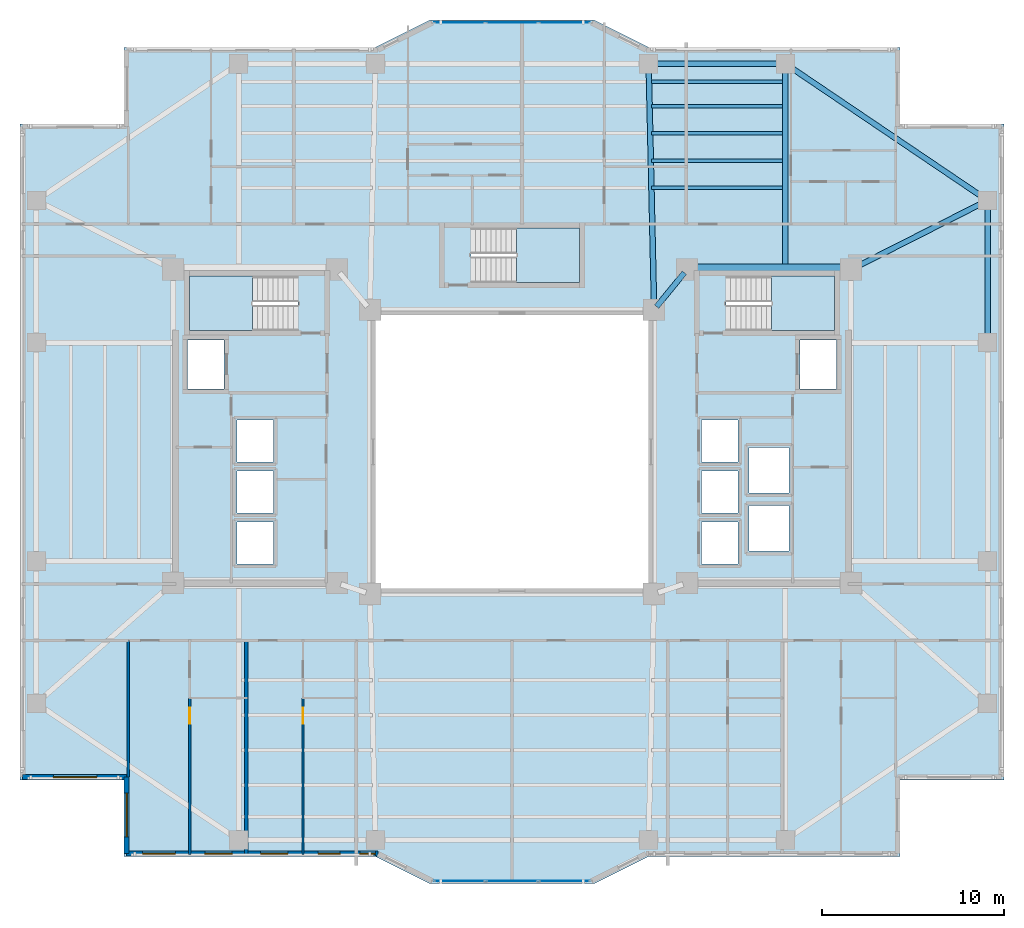
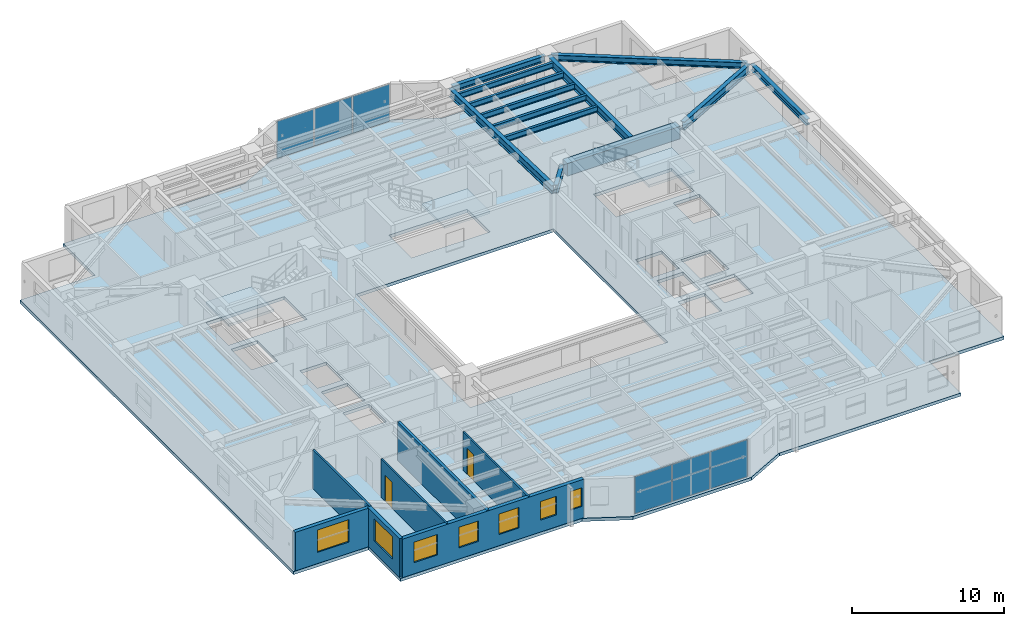
# One storey, part 5 of 18: 13 beams, 7 walls, 7 windows, 6 plates, 4 slabs, 2 doors, 9 openings, 5 elements without a shape of their own.
"""IFC4 building model written with IfcOpenShell, lengths in metres."""

from ifc_helpers import new_model, si_unit, direction, frame, frame_2d, origin, origin_2d, place, context, subcontext, project, spatial, polyline, rectangle, i_section, outline, extrude, material, layer, layer_set, material_profile, profile_set, type_object, element, fill, aggregate, save


model = new_model("IFC4")

# Units and contexts
model_context = context("Model", 3, precision=1e-05, world=origin(), true_north=direction((0.0, 1.0)))
body_context = subcontext(model_context, "Body", "Model", "MODEL_VIEW")
ifc_project = project(units=[si_unit("LENGTHUNIT", "METRE"), si_unit("AREAUNIT", "SQUARE_METRE"), si_unit("VOLUMEUNIT", "CUBIC_METRE"), si_unit("PLANEANGLEUNIT", "RADIAN"), si_unit("MASSUNIT", "GRAM", prefix="KILO")], contexts=[model_context])

# Site, building, storey
site_placement = place(None, origin())
site = spatial("IfcSite", under=ifc_project, at=site_placement, CompositionType="ELEMENT")
building_placement = place(site_placement, origin())
building = spatial("IfcBuilding", under=site, at=building_placement, Name="Tarnavaz Court Tower", CompositionType="ELEMENT")
storey_placement = place(building_placement, frame((0.0, 0.0, 98.39990234375)))
storey = spatial("IfcBuildingStorey", under=building, at=storey_placement, Name="L26", CompositionType="ELEMENT", Elevation=98.39990234375)

# Beams
ifc_material_1 = material(Name="Concrete C60/75", Category="concrete")
ifc_material_profile_1 = material_profile(ifc_material_1, rectangle(XDim=0.60009765625, YDim=1.0, at=origin_2d()), Name="RC 600X1000")
ifc_profile_set_1 = profile_set([ifc_material_profile_1], Name="Concrete C60/75")
beam_type_1 = type_object("IfcBeamType", Name="BM-CB1000", PredefinedType="LINTEL", material=ifc_profile_set_1)
beam_1_placement = place(storey_placement, frame((18.3798828125, 10.0, 2.60009765625), z_axis=(-1.0, 0.0, 0.0), x_axis=(0.0, -1.0, 0.0)))
element("IfcBeam", 1, at=beam_1_placement, inside=storey, type_object=beam_type_1, Name="L26 Beam IN-CE-NO-CE-NI", PredefinedType="LINTEL", context=body_context, shape_type="SweptSolid", body=[
    extrude(rectangle(XDim=0.60009765625, YDim=1.0, at=origin_2d()), origin(), (0.0, 0.0, 1.0), 8.559814453125),
])
ifc_material_2 = material(Name="Steel S355", Category="steel")
ifc_material_profile_2 = material_profile(ifc_material_2, i_section(OverallWidth=0.300048828125, OverallDepth=0.64990234375, WebThickness=0.01611328125, FlangeThickness=0.031005859375, FilletRadius=0.027099609375, at=origin_2d()), Name="HEB 650")
ifc_profile_set_2 = profile_set([ifc_material_profile_2], Name="Steel S355")
beam_type_2 = type_object("IfcBeamType", Name="BM-G-HEB650", PredefinedType="USERDEFINED", material=ifc_profile_set_2)
beam_2_placement = place(storey_placement, frame((9.460693359375, 9.82958984375, 2.775146484375), z_axis=(-0.633282058357, -0.773921077735, 0.0), x_axis=(0.773921077735, -0.633282058357, 0.0)))
element("IfcBeam", 2, at=beam_2_placement, inside=storey, type_object=beam_type_2, Name="L26 Beam IN-CE-NI-IW-NE", ObjectType="GIRDER", PredefinedType="USERDEFINED", context=body_context, shape_type="SweptSolid", body=[
    extrude(i_section(OverallWidth=0.300048828125, OverallDepth=0.64990234375, WebThickness=0.01611328125, FlangeThickness=0.031005859375, FilletRadius=0.027099609375, at=origin_2d()), origin(), (0.0, 0.0, 1.0), 2.402587890625),
])
beam_3_placement = place(storey_placement, frame((7.795166015625, 8.02001953125, 2.775146484375), z_axis=(-0.022221303469, 0.99975307635, 0.0), x_axis=(-0.99975307635, -0.022221303469, 0.0)))
element("IfcBeam", 3, at=beam_3_placement, inside=storey, type_object=beam_type_2, Name="L26 Beam RG-03", ObjectType="GIRDER", PredefinedType="USERDEFINED", context=body_context, shape_type="SweptSolid", body=[
    extrude(i_section(OverallWidth=0.300048828125, OverallDepth=0.64990234375, WebThickness=0.01611328125, FlangeThickness=0.031005859375, FilletRadius=0.027099609375, at=origin_2d()), origin(), (0.0, 0.0, 1.0), 13.063232421875),
])
beam_4_placement = place(storey_placement, frame((15.0, 10.0400390625, 2.775146484375), z_axis=(0.0, 1.0, 0.0), x_axis=(-1.0, 0.0, 0.0)))
element("IfcBeam", 4, at=beam_4_placement, inside=storey, type_object=beam_type_2, Name="L26 Beam RG-04", ObjectType="GIRDER", PredefinedType="USERDEFINED", context=body_context, shape_type="SweptSolid", body=[
    extrude(i_section(OverallWidth=0.300048828125, OverallDepth=0.64990234375, WebThickness=0.01611328125, FlangeThickness=0.031005859375, FilletRadius=0.027099609375, at=origin_2d()), origin(), (0.0, 0.0, 1.0), 11.0400390625),
])
beam_5_placement = place(storey_placement, frame((18.796142578125, 10.099365234375, 2.775146484375), z_axis=(0.892030669981, 0.451974870776, 0.0), x_axis=(-0.451974870776, 0.892030669981, 0.0)))
element("IfcBeam", 5, at=beam_5_placement, inside=storey, type_object=beam_type_2, Name="L26 Beam RG-12", ObjectType="GIRDER", PredefinedType="USERDEFINED", context=body_context, shape_type="SweptSolid", body=[
    extrude(i_section(OverallWidth=0.300048828125, OverallDepth=0.64990234375, WebThickness=0.01611328125, FlangeThickness=0.031005859375, FilletRadius=0.027099609375, at=origin_2d()), origin(), (0.0, 0.0, 1.0), 7.968017578125),
])
ifc_material_profile_3 = material_profile(ifc_material_2, i_section(OverallWidth=0.18994140625, OverallDepth=0.449951171875, WebThickness=0.009521484375, FlangeThickness=0.0146484375, FilletRadius=0.02099609375, at=origin_2d()), Name="IPE 450")
ifc_profile_set_3 = profile_set([ifc_material_profile_3], Name="Steel S355")
beam_type_3 = type_object("IfcBeamType", Name="BM-J-IPE450", PredefinedType="JOIST", material=ifc_profile_set_3)
for number, where, z_axis, x_axis, name in (
    (6, (7.64990234375, 14.493896484375, 2.875), (1.0, 0.0, 0.0), (0.0, 1.0, 0.0), "L26 Beam JN1-3"),
    (7, (7.64990234375, 15.988037109375, 2.875), (1.0, 0.0, 0.0), (0.0, 1.0, 0.0), "L26 Beam JN2-3"),
    (8, (7.64990234375, 17.48193359375, 2.875), (1.0, 0.0, 0.0), (0.0, 1.0, 0.0), "L26 Beam JN3-3"),
    (9, (7.64990234375, 18.97607421875, 2.875), (1.0, 0.0, 0.0), (0.0, 1.0, 0.0), "L26 Beam JN4-3"),
    (10, (7.64990234375, 20.303955078125, 2.875), (1.0, 0.0, 0.0), (0.0, 1.0, 0.0), "L26 Beam JN5-3"),
):
    element("IfcBeam", number, at=place(storey_placement, frame(where, z_axis=z_axis, x_axis=x_axis)), inside=storey, type_object=beam_type_3, Name=name, PredefinedType="JOIST", context=body_context, shape_type="SweptSolid", body=[
        extrude(i_section(OverallWidth=0.18994140625, OverallDepth=0.449951171875, WebThickness=0.009521484375, FlangeThickness=0.0146484375, FilletRadius=0.02099609375, at=origin_2d()), origin(), (0.0, 0.0, 1.0), 7.2001953125),
    ])
ifc_material_profile_4 = material_profile(ifc_material_2, i_section(OverallWidth=0.300048828125, OverallDepth=0.489990234375, WebThickness=0.011962890625, FlangeThickness=0.02294921875, FilletRadius=0.027099609375, at=origin_2d()), Name="HEA 500")
ifc_profile_set_4 = profile_set([ifc_material_profile_4], Name="Steel S355")
beam_type_4 = type_object("IfcBeamType", Name="BM-SP-HEA500", PredefinedType="SPANDREL", material=ifc_profile_set_4)
beam_6_placement = place(storey_placement, frame((7.719970703125, 21.300048828125, 2.85498046875), z_axis=(1.0, 0.0, 0.0), x_axis=(0.0, 1.0, 0.0)))
element("IfcBeam", 11, at=beam_6_placement, inside=storey, type_object=beam_type_4, Name="L26 Beam PR-PN-3-PN-4", PredefinedType="SPANDREL", context=body_context, shape_type="SweptSolid", body=[
    extrude(i_section(OverallWidth=0.300048828125, OverallDepth=0.489990234375, WebThickness=0.011962890625, FlangeThickness=0.02294921875, FilletRadius=0.027099609375, at=origin_2d()), origin(), (0.0, 0.0, 1.0), 7.06005859375),
])
beam_7_placement = place(storey_placement, frame((26.10009765625, 6.219970703125, 2.85498046875), z_axis=(0.0, 1.0, 0.0), x_axis=(-1.0, 0.0, 0.0)))
element("IfcBeam", 12, at=beam_7_placement, inside=storey, type_object=beam_type_4, Name="L26 Beam PR-PE-3-PE-4", PredefinedType="SPANDREL", context=body_context, shape_type="SweptSolid", body=[
    extrude(i_section(OverallWidth=0.300048828125, OverallDepth=0.489990234375, WebThickness=0.011962890625, FlangeThickness=0.02294921875, FilletRadius=0.027099609375, at=origin_2d()), origin(), (0.0, 0.0, 1.0), 7.360107421875),
])
beam_8_placement = place(storey_placement, frame((15.182373046875, 21.1767578125, 2.85498046875), z_axis=(0.828587314918, -0.559859858854, 0.0), x_axis=(0.559859858854, 0.828587314918, 0.0)))
element("IfcBeam", 13, at=beam_8_placement, inside=storey, type_object=beam_type_4, Name="L26 Beam PR-PN-4-PE-4", PredefinedType="SPANDREL", context=body_context, shape_type="SweptSolid", body=[
    extrude(i_section(OverallWidth=0.300048828125, OverallDepth=0.489990234375, WebThickness=0.011962890625, FlangeThickness=0.02294921875, FilletRadius=0.027099609375, at=origin_2d()), origin(), (0.0, 0.0, 1.0), 12.956298828125),
])

# Curtain wall, plates
ifc_material_3 = material(Name="Anodised Aluminium 6063-T6 and Solar Low-E Glazing", Category="aluminium")
ifc_layer_1 = layer(ifc_material_3, 0.179931640625)
ifc_layer_set_1 = layer_set([ifc_layer_1], Name="Anodised Aluminium 6063-T6 and Solar Low-E Glazing")
curtain_wall_type = type_object("IfcCurtainWallType", Name="CW-SYS-02", PredefinedType="NOTDEFINED", material=ifc_layer_set_1)
curtain_wall_1_placement = place(storey_placement, origin())
curtain_wall_1 = element("IfcCurtainWall", 14, at=curtain_wall_1_placement, inside=storey, type_object=curtain_wall_type, Name="L26 Iwan Prow Curtain Wall 7", PredefinedType="NOTDEFINED")
ifc_material_4 = material(Name="Double-Glazed Solar Low-E Glass", Category="glass")
ifc_layer_2 = layer(ifc_material_4, 0.028076171875)
ifc_layer_set_2 = layer_set([ifc_layer_2], Name="Double-Glazed Solar Low-E Glass")
plate_type = type_object("IfcPlateType", Name="CW-PAN-GLZ28", PredefinedType="CURTAIN_PANEL", material=ifc_layer_set_2)
plate_1_placement = place(storey_placement, frame((-2.88134765625, 23.550048828125, 0.06494140625), z_axis=(0.0, 0.0, 1.0), x_axis=(1.0, 0.0, 0.0)))
plate_1 = element("IfcPlate", 15, at=plate_1_placement, type_object=plate_type, Name="CW panel 1.1", PredefinedType="CURTAIN_PANEL", context=body_context, shape_type="SweptSolid", body=[
    extrude(rectangle(XDim=2.78759765625, YDim=0.028076171875, at=origin_2d()), origin(), (0.0, 0.0, 1.0), 2.969970703125),
])
plate_2_placement = place(storey_placement, frame((0.0, 23.550048828125, 0.06494140625), z_axis=(0.0, 0.0, 1.0), x_axis=(1.0, 0.0, 0.0)))
plate_2 = element("IfcPlate", 16, at=plate_2_placement, type_object=plate_type, Name="CW panel 2.1", PredefinedType="CURTAIN_PANEL", context=body_context, shape_type="SweptSolid", body=[
    extrude(rectangle(XDim=2.824951171875, YDim=0.028076171875, at=origin_2d()), origin(), (0.0, 0.0, 1.0), 2.969970703125),
])
plate_3_placement = place(storey_placement, frame((2.88134765625, 23.550048828125, 0.06494140625), z_axis=(0.0, 0.0, 1.0), x_axis=(1.0, 0.0, 0.0)))
plate_3 = element("IfcPlate", 17, at=plate_3_placement, type_object=plate_type, Name="CW panel 3.1", PredefinedType="CURTAIN_PANEL", context=body_context, shape_type="SweptSolid", body=[
    extrude(rectangle(XDim=2.78759765625, YDim=0.028076171875, at=origin_2d()), origin(), (0.0, 0.0, 1.0), 2.969970703125),
])
aggregate(curtain_wall_1, [plate_1, plate_2, plate_3])

curtain_wall_2_placement = place(storey_placement, origin())
curtain_wall_2 = element("IfcCurtainWall", 18, at=curtain_wall_2_placement, inside=storey, type_object=curtain_wall_type, Name="L26 Iwan Prow Curtain Wall 17", PredefinedType="NOTDEFINED")
plate_4_placement = place(storey_placement, frame((2.88134765625, -23.550048828125, 0.06494140625), z_axis=(0.0, 0.0, 1.0), x_axis=(-1.0, 0.0, 0.0)))
plate_4 = element("IfcPlate", 19, at=plate_4_placement, type_object=plate_type, Name="CW panel 1.1", PredefinedType="CURTAIN_PANEL", context=body_context, shape_type="SweptSolid", body=[
    extrude(rectangle(XDim=2.78759765625, YDim=0.028076171875, at=origin_2d()), origin(), (0.0, 0.0, 1.0), 2.969970703125),
])
plate_5_placement = place(storey_placement, frame((0.0, -23.550048828125, 0.06494140625), z_axis=(0.0, 0.0, 1.0), x_axis=(-1.0, 0.0, 0.0)))
plate_5 = element("IfcPlate", 20, at=plate_5_placement, type_object=plate_type, Name="CW panel 2.1", PredefinedType="CURTAIN_PANEL", context=body_context, shape_type="SweptSolid", body=[
    extrude(rectangle(XDim=2.824951171875, YDim=0.028076171875, at=origin_2d()), origin(), (0.0, 0.0, 1.0), 2.969970703125),
])
plate_6_placement = place(storey_placement, frame((-2.88134765625, -23.550048828125, 0.06494140625), z_axis=(0.0, 0.0, 1.0), x_axis=(-1.0, 0.0, 0.0)))
plate_6 = element("IfcPlate", 21, at=plate_6_placement, type_object=plate_type, Name="CW panel 3.1", PredefinedType="CURTAIN_PANEL", context=body_context, shape_type="SweptSolid", body=[
    extrude(rectangle(XDim=2.78759765625, YDim=0.028076171875, at=origin_2d()), origin(), (0.0, 0.0, 1.0), 2.969970703125),
])
aggregate(curtain_wall_2, [plate_4, plate_5, plate_6])

# Stair, slab
ifc_material_5 = material(Name="Concrete C40/50", Category="concrete")
stair_type = type_object("IfcStairType", Name="ST-TWR-20R", PredefinedType="HALF_TURN_STAIR", material=ifc_material_5)
stair_1_placement = place(storey_placement, origin())
stair_1 = element("IfcStair", 22, at=stair_1_placement, inside=storey, type_object=stair_type, Name="L26 West Core Pressurized Exit Stair ST-W1", PredefinedType="HALF_TURN_STAIR")
ifc_layer_3 = layer(ifc_material_5, 0.199951171875)
ifc_layer_set_3 = layer_set([ifc_layer_3], Name="Concrete C40/50")
slab_type_1 = type_object("IfcSlabType", Name="SL-LAND-200", PredefinedType="LANDING", material=ifc_layer_set_3)
slab_1_placement = place(storey_placement, frame((0.0, 0.0, 1.47509765625)))
slab_1 = element("IfcSlab", 23, at=slab_1_placement, type_object=slab_type_1, Name="ST-W1 landing 1", PredefinedType="LANDING", context=body_context, shape_type="SweptSolid", body=[
    extrude(outline(polyline([(-14.239990234375, 9.639892578125), (-17.699951171875, 9.639892578125), (-17.699951171875, 6.64990234375), (-14.239990234375, 6.64990234375), (-14.239990234375, 9.639892578125)])), origin(), (0.0, 0.0, 1.0), 0.199951171875),
])
aggregate(stair_1, [slab_1])

stair_2_placement = place(storey_placement, origin())
stair_2 = element("IfcStair", 24, at=stair_2_placement, inside=storey, type_object=stair_type, Name="L26 East Core Pressurized Exit Stair ST-E1", PredefinedType="HALF_TURN_STAIR")
slab_2_placement = place(storey_placement, frame((0.0, 0.0, 1.47509765625)))
slab_2 = element("IfcSlab", 25, at=slab_2_placement, type_object=slab_type_1, Name="ST-E1 landing 1", PredefinedType="LANDING", context=body_context, shape_type="SweptSolid", body=[
    extrude(outline(polyline([(14.239990234375, 6.64990234375), (17.699951171875, 6.64990234375), (17.699951171875, 9.639892578125), (14.239990234375, 9.639892578125), (14.239990234375, 6.64990234375)])), origin(), (0.0, 0.0, 1.0), 0.199951171875),
])
aggregate(stair_2, [slab_2])

stair_3_placement = place(storey_placement, origin())
stair_3 = element("IfcStair", 26, at=stair_3_placement, inside=storey, type_object=stair_type, Name="L26 North Ring Pressurized Exit Stair ST-N1", PredefinedType="HALF_TURN_STAIR")
slab_3_placement = place(storey_placement, frame((0.0, 0.0, 1.47509765625)))
slab_3 = element("IfcSlab", 27, at=slab_3_placement, type_object=slab_type_1, Name="ST-N1 landing 1", PredefinedType="LANDING", context=body_context, shape_type="SweptSolid", body=[
    extrude(outline(polyline([(0.239990234375, 9.300048828125), (3.699951171875, 9.300048828125), (3.699951171875, 12.2900390625), (0.239990234375, 12.2900390625), (0.239990234375, 9.300048828125)])), origin(), (0.0, 0.0, 1.0), 0.199951171875),
])
aggregate(stair_3, [slab_3])

# Slab
ifc_layer_4 = layer(ifc_material_5, 0.25)
ifc_layer_set_4 = layer_set([ifc_layer_4], Name="Concrete C40/50")
slab_type_2 = type_object("IfcSlabType", Name="SL-RES-250", PredefinedType="FLOOR", material=ifc_layer_set_4)
slab_4_placement = place(storey_placement, frame((0.0, 0.0, -0.25)))
element("IfcSlab", 28, at=slab_4_placement, inside=storey, type_object=slab_type_2, Name="L26 Structural Floor Slab", PredefinedType="FLOOR", context=body_context, shape_type="SweptSolid", body=[
    extrude(outline(polyline([(-21.300048828125, -22.199951171875), (-7.5, -22.199951171875), (-4.5, -23.699951171875), (4.5, -23.699951171875), (7.5, -22.199951171875), (21.300048828125, -22.199951171875), (21.300048828125, -18.0), (27.0, -18.0), (27.0, 18.0), (21.300048828125, 18.0), (21.300048828125, 22.199951171875), (7.5, 22.199951171875), (4.5, 23.699951171875), (-4.5, 23.699951171875), (-7.5, 22.199951171875), (-21.300048828125, 22.199951171875), (-21.300048828125, 18.0), (-27.0, 18.0), (-27.0, -18.0), (-21.300048828125, -18.0), (-21.300048828125, -22.199951171875)]), holes=[polyline([(-7.5, -7.5), (7.5, -7.5), (7.5, 7.5), (-7.5, 7.5), (-7.5, -7.5)]), polyline([(-11.7451171875, 9.639892578125), (-17.699951171875, 9.639892578125), (-17.699951171875, 6.64990234375), (-11.7451171875, 6.64990234375), (-11.7451171875, 9.639892578125)]), polyline([(11.7451171875, 6.64990234375), (17.699951171875, 6.64990234375), (17.699951171875, 9.639892578125), (11.7451171875, 9.639892578125), (11.7451171875, 6.64990234375)]), polyline([(-2.2548828125, 9.300048828125), (3.699951171875, 9.300048828125), (3.699951171875, 12.2900390625), (-2.2548828125, 12.2900390625), (-2.2548828125, 9.300048828125)]), polyline([(-17.800048828125, 3.449951171875), (-15.800048828125, 3.449951171875), (-15.800048828125, 6.14990234375), (-17.800048828125, 6.14990234375), (-17.800048828125, 3.449951171875)]), polyline([(-15.10009765625, -6.14990234375), (-13.10009765625, -6.14990234375), (-13.10009765625, -3.85009765625), (-15.10009765625, -3.85009765625), (-15.10009765625, -6.14990234375)]), polyline([(-15.10009765625, -3.35009765625), (-13.10009765625, -3.35009765625), (-13.10009765625, -1.050048828125), (-15.10009765625, -1.050048828125), (-15.10009765625, -3.35009765625)]), polyline([(-15.10009765625, -0.550048828125), (-13.10009765625, -0.550048828125), (-13.10009765625, 1.75), (-15.10009765625, 1.75), (-15.10009765625, -0.550048828125)]), polyline([(15.800048828125, 3.449951171875), (17.800048828125, 3.449951171875), (17.800048828125, 6.14990234375), (15.800048828125, 6.14990234375), (15.800048828125, 3.449951171875)]), polyline([(10.39990234375, -6.14990234375), (12.39990234375, -6.14990234375), (12.39990234375, -3.85009765625), (10.39990234375, -3.85009765625), (10.39990234375, -6.14990234375)]), polyline([(10.39990234375, -3.35009765625), (12.39990234375, -3.35009765625), (12.39990234375, -1.050048828125), (10.39990234375, -1.050048828125), (10.39990234375, -3.35009765625)]), polyline([(10.39990234375, -0.550048828125), (12.39990234375, -0.550048828125), (12.39990234375, 1.75), (10.39990234375, 1.75), (10.39990234375, -0.550048828125)]), polyline([(13.0, -5.449951171875), (15.199951171875, -5.449951171875), (15.199951171875, -2.949951171875), (13.0, -2.949951171875), (13.0, -5.449951171875)]), polyline([(13.0, -2.25), (15.199951171875, -2.25), (15.199951171875, 0.25), (13.0, 0.25), (13.0, -2.25)])]), origin(), (0.0, 0.0, 1.0), 0.25),
])

# Wall, opening, window
ifc_material_6 = material(Name="Precast Concrete C40/50", Category="concrete")
ifc_layer_5 = layer(ifc_material_6, 0.280029296875)
ifc_layer_set_5 = layer_set([ifc_layer_5], Name="Precast Concrete C40/50")
wall_type_1 = type_object("IfcWallType", Name="WL-EXT-280", PredefinedType="SOLIDWALL", material=ifc_layer_set_5)
wall_1_placement = place(storey_placement, frame((-21.14990234375, -17.85009765625, 0.0), z_axis=(0.0, 0.0, 1.0), x_axis=(-1.0, 0.0, 0.0)))
wall_1 = element("IfcWall", 29, at=wall_1_placement, inside=storey, type_object=wall_type_1, Name="L26 Exterior Terracotta Facade Wall 01", PredefinedType="SOLIDWALL", context=body_context, shape_type="SweptSolid", body=[
    extrude(rectangle(XDim=5.7001953125, YDim=0.280029296875, at=frame_2d((2.85009765625, 0.0))), origin(), (0.0, 0.0, 1.0), 3.10009765625),
])
opening_1_placement = place(wall_1_placement, frame((1.625, 0.0, 0.89990234375)))
opening_1 = element("IfcOpeningElement", 30, at=opening_1_placement, cuts=wall_1, Name="Opening W06", PredefinedType="OPENING", context=body_context, shape_type="SweptSolid", body=[
    extrude(rectangle(XDim=2.39990234375, YDim=1.800048828125, at=frame_2d((1.199951171875, 0.89990234375))), frame((0.0, 0.14990234375, 0.0), z_axis=(0.0, -1.0, 0.0), x_axis=(1.0, 0.0, 0.0)), (0.0, 0.0, 1.0), 0.300048828125),
])
window_type_1 = type_object("IfcWindowType", Name="WN-APT-2400", PartitioningType="TRIPLE_PANEL_VERTICAL", PredefinedType="WINDOW", material=ifc_material_4)
window_1_placement = place(opening_1_placement, origin())
window_1 = element("IfcWindow", 31, at=window_1_placement, inside=storey, type_object=window_type_1, Name="L26 South-West Corner Reading Room Window", OverallHeight=1.800048828125, OverallWidth=2.39990234375, PartitioningType="SINGLE_PANEL", PredefinedType="WINDOW", context=body_context, shape_type="SweptSolid", body=[
    extrude(rectangle(XDim=2.39990234375, YDim=1.800048828125, at=frame_2d((1.199951171875, 0.89990234375))), frame((0.0, 0.030029296875, 0.0), z_axis=(0.0, -1.0, 0.0), x_axis=(1.0, 0.0, 0.0)), (0.0, 0.0, 1.0), 0.06005859375),
])
fill(opening_1, window_1)

# Wall, openings, windows
wall_2_placement = place(storey_placement, frame((-7.35009765625, -22.050048828125, 0.0), z_axis=(0.0, 0.0, 1.0), x_axis=(-1.0, 0.0, 0.0)))
wall_2 = element("IfcWall", 32, at=wall_2_placement, inside=storey, type_object=wall_type_1, Name="L26 Exterior Terracotta Facade Wall 19", PredefinedType="SOLIDWALL", context=body_context, shape_type="SweptSolid", body=[
    extrude(rectangle(XDim=13.7998046875, YDim=0.280029296875, at=frame_2d((6.89990234375, 0.0))), origin(), (0.0, 0.0, 1.0), 3.10009765625),
])
opening_2_placement = place(wall_2_placement, frame((0.14697265625, 0.0, 0.949951171875)))
opening_2 = element("IfcOpeningElement", 33, at=opening_2_placement, cuts=wall_2, Name="Opening W15", PredefinedType="OPENING", context=body_context, shape_type="SweptSolid", body=[
    extrude(rectangle(XDim=0.85009765625, YDim=1.5, at=frame_2d((0.425048828125, 0.75))), frame((0.0, 0.14990234375, 0.0), z_axis=(0.0, -1.0, 0.0), x_axis=(1.0, 0.0, 0.0)), (0.0, 0.0, 1.0), 0.300048828125),
])
opening_3_placement = place(wall_2_placement, frame((2.084716796875, 0.0, 0.949951171875)))
opening_3 = element("IfcOpeningElement", 34, at=opening_3_placement, cuts=wall_2, Name="Opening W05", PredefinedType="OPENING", context=body_context, shape_type="SweptSolid", body=[
    extrude(rectangle(XDim=1.199951171875, YDim=1.5, at=frame_2d((0.60009765625, 0.75))), frame((0.0, 0.14990234375, 0.0), z_axis=(0.0, -1.0, 0.0), x_axis=(1.0, 0.0, 0.0)), (0.0, 0.0, 1.0), 0.300048828125),
])
opening_4_placement = place(wall_2_placement, frame((4.945556640625, 0.0, 0.89990234375)))
opening_4 = element("IfcOpeningElement", 35, at=opening_4_placement, cuts=wall_2, Name="Opening W03", PredefinedType="OPENING", context=body_context, shape_type="SweptSolid", body=[
    extrude(rectangle(XDim=1.5, YDim=1.64990234375, at=frame_2d((0.75, 0.824951171875))), frame((0.0, 0.14990234375, 0.0), z_axis=(0.0, -1.0, 0.0), x_axis=(1.0, 0.0, 0.0)), (0.0, 0.0, 1.0), 0.300048828125),
])
opening_5_placement = place(wall_2_placement, frame((8.006591796875, 0.0, 0.89990234375)))
opening_5 = element("IfcOpeningElement", 36, at=opening_5_placement, cuts=wall_2, Name="Opening W03", PredefinedType="OPENING", context=body_context, shape_type="SweptSolid", body=[
    extrude(rectangle(XDim=1.5, YDim=1.64990234375, at=frame_2d((0.75, 0.824951171875))), frame((0.0, 0.14990234375, 0.0), z_axis=(0.0, -1.0, 0.0), x_axis=(1.0, 0.0, 0.0)), (0.0, 0.0, 1.0), 0.300048828125),
])
opening_6_placement = place(wall_2_placement, frame((11.118408203125, 0.0, 0.89990234375)))
opening_6 = element("IfcOpeningElement", 37, at=opening_6_placement, cuts=wall_2, Name="Opening W01", PredefinedType="OPENING", context=body_context, shape_type="SweptSolid", body=[
    extrude(rectangle(XDim=1.800048828125, YDim=1.64990234375, at=frame_2d((0.89990234375, 0.824951171875))), frame((0.0, 0.14990234375, 0.0), z_axis=(0.0, -1.0, 0.0), x_axis=(1.0, 0.0, 0.0)), (0.0, 0.0, 1.0), 0.300048828125),
])
window_type_2 = type_object("IfcWindowType", Name="WN-APT-1200", PartitioningType="SINGLE_PANEL", PredefinedType="WINDOW", material=ifc_material_4)
window_2_placement = place(opening_3_placement, origin())
window_2 = element("IfcWindow", 38, at=window_2_placement, inside=storey, type_object=window_type_2, Name="L26 Flat 06 Kitchen Window", OverallHeight=1.5, OverallWidth=1.199951171875, PartitioningType="SINGLE_PANEL", PredefinedType="WINDOW", context=body_context, shape_type="SweptSolid", body=[
    extrude(rectangle(XDim=1.199951171875, YDim=1.5, at=frame_2d((0.60009765625, 0.75))), frame((0.0, 0.030029296875, 0.0), z_axis=(0.0, -1.0, 0.0), x_axis=(1.0, 0.0, 0.0)), (0.0, 0.0, 1.0), 0.06005859375),
])
fill(opening_3, window_2)
window_type_3 = type_object("IfcWindowType", Name="WN-APT-1500", PartitioningType="DOUBLE_PANEL_VERTICAL", PredefinedType="WINDOW", material=ifc_material_4)
window_3_placement = place(opening_4_placement, origin())
window_3 = element("IfcWindow", 39, at=window_3_placement, inside=storey, type_object=window_type_3, Name="L26 Flat 06 Studio Living and Sleeping Room Window", OverallHeight=1.64990234375, OverallWidth=1.5, PartitioningType="SINGLE_PANEL", PredefinedType="WINDOW", context=body_context, shape_type="SweptSolid", body=[
    extrude(rectangle(XDim=1.5, YDim=1.64990234375, at=frame_2d((0.75, 0.824951171875))), frame((0.0, 0.030029296875, 0.0), z_axis=(0.0, -1.0, 0.0), x_axis=(1.0, 0.0, 0.0)), (0.0, 0.0, 1.0), 0.06005859375),
])
fill(opening_4, window_3)
window_4_placement = place(opening_5_placement, origin())
window_4 = element("IfcWindow", 40, at=window_4_placement, inside=storey, type_object=window_type_3, Name="L26 Flat 05 Kitchen Window", OverallHeight=1.64990234375, OverallWidth=1.5, PartitioningType="SINGLE_PANEL", PredefinedType="WINDOW", context=body_context, shape_type="SweptSolid", body=[
    extrude(rectangle(XDim=1.5, YDim=1.64990234375, at=frame_2d((0.75, 0.824951171875))), frame((0.0, 0.030029296875, 0.0), z_axis=(0.0, -1.0, 0.0), x_axis=(1.0, 0.0, 0.0)), (0.0, 0.0, 1.0), 0.06005859375),
])
fill(opening_5, window_4)
window_type_4 = type_object("IfcWindowType", Name="WN-APT-1800", PartitioningType="DOUBLE_PANEL_VERTICAL", PredefinedType="WINDOW", material=ifc_material_4)
window_5_placement = place(opening_6_placement, origin())
window_5 = element("IfcWindow", 41, at=window_5_placement, inside=storey, type_object=window_type_4, Name="L26 Flat 05 Studio Living and Sleeping Room Window", OverallHeight=1.64990234375, OverallWidth=1.800048828125, PartitioningType="SINGLE_PANEL", PredefinedType="WINDOW", context=body_context, shape_type="SweptSolid", body=[
    extrude(rectangle(XDim=1.800048828125, YDim=1.64990234375, at=frame_2d((0.89990234375, 0.824951171875))), frame((0.0, 0.030029296875, 0.0), z_axis=(0.0, -1.0, 0.0), x_axis=(1.0, 0.0, 0.0)), (0.0, 0.0, 1.0), 0.06005859375),
])
fill(opening_6, window_5)
window_type_5 = type_object("IfcWindowType", Name="WN-APT-850", PartitioningType="SINGLE_PANEL", PredefinedType="WINDOW", material=ifc_material_4)
window_6_placement = place(opening_2_placement, origin())
window_6 = element("IfcWindow", 42, at=window_6_placement, inside=storey, type_object=window_type_5, Name="L26 South Courtyard Majlis Lounge Window", OverallHeight=1.5, OverallWidth=0.85009765625, PartitioningType="SINGLE_PANEL", PredefinedType="WINDOW", context=body_context, shape_type="SweptSolid", body=[
    extrude(rectangle(XDim=0.85009765625, YDim=1.5, at=frame_2d((0.425048828125, 0.75))), frame((0.0, 0.030029296875, 0.0), z_axis=(0.0, -1.0, 0.0), x_axis=(1.0, 0.0, 0.0)), (0.0, 0.0, 1.0), 0.06005859375),
])
fill(opening_2, window_6)

# Wall, opening, window
wall_3_placement = place(storey_placement, frame((-21.14990234375, -22.050048828125, 0.0), z_axis=(0.0, 0.0, 1.0), x_axis=(0.0, 1.0, 0.0)))
wall_3 = element("IfcWall", 43, at=wall_3_placement, inside=storey, type_object=wall_type_1, Name="L26 Exterior Terracotta Facade Wall 20", PredefinedType="SOLIDWALL", context=body_context, shape_type="SweptSolid", body=[
    extrude(rectangle(XDim=4.199951171875, YDim=0.280029296875, at=frame_2d((2.10009765625, 0.0))), origin(), (0.0, 0.0, 1.0), 3.10009765625),
])
opening_7_placement = place(wall_3_placement, frame((0.917724609375, 0.0, 0.89990234375)))
opening_7 = element("IfcOpeningElement", 44, at=opening_7_placement, cuts=wall_3, Name="Opening W06", PredefinedType="OPENING", context=body_context, shape_type="SweptSolid", body=[
    extrude(rectangle(XDim=2.39990234375, YDim=1.800048828125, at=frame_2d((1.199951171875, 0.89990234375))), frame((0.0, 0.14990234375, 0.0), z_axis=(0.0, -1.0, 0.0), x_axis=(1.0, 0.0, 0.0)), (0.0, 0.0, 1.0), 0.300048828125),
])
window_7_placement = place(opening_7_placement, origin())
window_7 = element("IfcWindow", 45, at=window_7_placement, inside=storey, type_object=window_type_1, Name="L26 Flat 05 Studio Living and Sleeping Room Window", OverallHeight=1.800048828125, OverallWidth=2.39990234375, PartitioningType="SINGLE_PANEL", PredefinedType="WINDOW", context=body_context, shape_type="SweptSolid", body=[
    extrude(rectangle(XDim=2.39990234375, YDim=1.800048828125, at=frame_2d((1.199951171875, 0.89990234375))), frame((0.0, 0.030029296875, 0.0), z_axis=(0.0, -1.0, 0.0), x_axis=(1.0, 0.0, 0.0)), (0.0, 0.0, 1.0), 0.06005859375),
])
fill(opening_7, window_7)

# Wall
ifc_material_7 = material(Name="Autoclaved Aerated Concrete Blockwork", Category="masonry")
ifc_layer_6 = layer(ifc_material_7, 0.199951171875)
ifc_layer_set_6 = layer_set([ifc_layer_6], Name="Autoclaved Aerated Concrete Blockwork")
wall_type_2 = type_object("IfcWallType", Name="WL-FIRE-200", PredefinedType="SOLIDWALL", material=ifc_layer_set_6)
wall_4_placement = place(storey_placement, frame((-14.575927734375, -22.10009765625, 0.0), z_axis=(0.0, 0.0, 1.0), x_axis=(0.0, 1.0, 0.0)))
element("IfcWall", 46, at=wall_4_placement, inside=storey, type_object=wall_type_2, Name="L26 Party Wall 094", PredefinedType="SOLIDWALL", context=body_context, shape_type="SweptSolid", body=[
    extrude(rectangle(XDim=11.75, YDim=0.199951171875, at=frame_2d((5.875, 0.0))), origin(), (0.0, 0.0, 1.0), 3.10009765625),
])

# Wall, opening, door
ifc_material_8 = material(Name="Moisture-Resistant Gypsum Board Partition", Category="masonry")
ifc_layer_7 = layer(ifc_material_8, 0.1201171875)
ifc_layer_set_7 = layer_set([ifc_layer_7], Name="Moisture-Resistant Gypsum Board Partition")
wall_type_3 = type_object("IfcWallType", Name="WL-PART-120", PredefinedType="PARTITIONING", material=ifc_layer_set_7)
wall_5_placement = place(storey_placement, frame((-17.68603515625, -22.10009765625, 0.0), z_axis=(0.0, 0.0, 1.0), x_axis=(0.0, 1.0, 0.0)))
wall_5 = element("IfcWall", 47, at=wall_5_placement, inside=storey, type_object=wall_type_3, Name="L26 Interior Partition 095", PredefinedType="PARTITIONING", context=body_context, shape_type="SweptSolid", body=[
    extrude(rectangle(XDim=8.590087890625, YDim=0.1201171875, at=frame_2d((4.294921875, 0.0))), origin(), (0.0, 0.0, 1.0), 3.10009765625),
])
opening_8_placement = place(wall_5_placement, frame((7.18994140625, 0.0, 0.0)))
opening_8 = element("IfcOpeningElement", 48, at=opening_8_placement, cuts=wall_5, Name="Opening D14", PredefinedType="OPENING", context=body_context, shape_type="SweptSolid", body=[
    extrude(rectangle(XDim=0.8798828125, YDim=2.10009765625, at=frame_2d((0.43994140625, 1.050048828125))), frame((0.0, 0.070068359375, 0.0), z_axis=(0.0, -1.0, 0.0), x_axis=(1.0, 0.0, 0.0)), (0.0, 0.0, 1.0), 0.14013671875),
])
ifc_material_9 = material(Name="Engineered Oak Timber", Category="wood")
door_type = type_object("IfcDoorType", Name="DR-INT-900", OperationType="NOTDEFINED", PredefinedType="DOOR", material=ifc_material_9)
door_1_placement = place(opening_8_placement, origin())
door_1 = element("IfcDoor", 49, at=door_1_placement, inside=storey, type_object=door_type, Name="L26 Flat 05 Kitchen Door", OperationType="SINGLE_SWING_RIGHT", OverallHeight=2.10009765625, OverallWidth=0.8798828125, PredefinedType="DOOR", context=body_context, shape_type="SweptSolid", body=[
    extrude(rectangle(XDim=0.8798828125, YDim=2.10009765625, at=frame_2d((0.43994140625, 1.050048828125))), frame((0.0, 0.02490234375, 0.0), z_axis=(0.0, -1.0, 0.0), x_axis=(1.0, 0.0, 0.0)), (0.0, 0.0, 1.0), 0.050048828125),
])
fill(opening_8, door_1)

wall_6_placement = place(storey_placement, frame((-11.470947265625, -22.10009765625, 0.0), z_axis=(0.0, 0.0, 1.0), x_axis=(0.0, 1.0, 0.0)))
wall_6 = element("IfcWall", 50, at=wall_6_placement, inside=storey, type_object=wall_type_3, Name="L26 Interior Partition 098", PredefinedType="PARTITIONING", context=body_context, shape_type="SweptSolid", body=[
    extrude(rectangle(XDim=8.590087890625, YDim=0.1201171875, at=frame_2d((4.294921875, 0.0))), origin(), (0.0, 0.0, 1.0), 3.10009765625),
])
opening_9_placement = place(wall_6_placement, frame((7.18994140625, 0.0, 0.0)))
opening_9 = element("IfcOpeningElement", 51, at=opening_9_placement, cuts=wall_6, Name="Opening D14", PredefinedType="OPENING", context=body_context, shape_type="SweptSolid", body=[
    extrude(rectangle(XDim=0.8798828125, YDim=2.10009765625, at=frame_2d((0.43994140625, 1.050048828125))), frame((0.0, 0.070068359375, 0.0), z_axis=(0.0, -1.0, 0.0), x_axis=(1.0, 0.0, 0.0)), (0.0, 0.0, 1.0), 0.14013671875),
])
door_2_placement = place(opening_9_placement, origin())
door_2 = element("IfcDoor", 52, at=door_2_placement, inside=storey, type_object=door_type, Name="L26 Flat 06 Kitchen Door", OperationType="SINGLE_SWING_LEFT", OverallHeight=2.10009765625, OverallWidth=0.8798828125, PredefinedType="DOOR", context=body_context, shape_type="SweptSolid", body=[
    extrude(rectangle(XDim=0.8798828125, YDim=2.10009765625, at=frame_2d((0.43994140625, 1.050048828125))), frame((0.0, 0.02490234375, 0.0), z_axis=(0.0, -1.0, 0.0), x_axis=(1.0, 0.0, 0.0)), (0.0, 0.0, 1.0), 0.050048828125),
])
fill(opening_9, door_2)

# Wall
ifc_material_10 = material(Name="Gypsum Plasterboard Acoustic Partition", Category="masonry")
ifc_layer_8 = layer(ifc_material_10, 0.139892578125)
ifc_layer_set_8 = layer_set([ifc_layer_8], Name="Gypsum Plasterboard Acoustic Partition")
wall_type_4 = type_object("IfcWallType", Name="WL-PART-150", PredefinedType="PARTITIONING", material=ifc_layer_set_8)
wall_7_placement = place(storey_placement, frame((-21.050048828125, -17.85009765625, 0.0), z_axis=(0.0, 0.0, 1.0), x_axis=(0.0, 1.0, 0.0)))
element("IfcWall", 53, at=wall_7_placement, inside=storey, type_object=wall_type_4, Name="L26 Interior Partition 116", PredefinedType="PARTITIONING", context=body_context, shape_type="SweptSolid", body=[
    extrude(rectangle(XDim=7.5, YDim=0.139892578125, at=frame_2d((3.75, 0.0))), origin(), (0.0, 0.0, 1.0), 3.10009765625),
])

save(model, "model.ifc")
